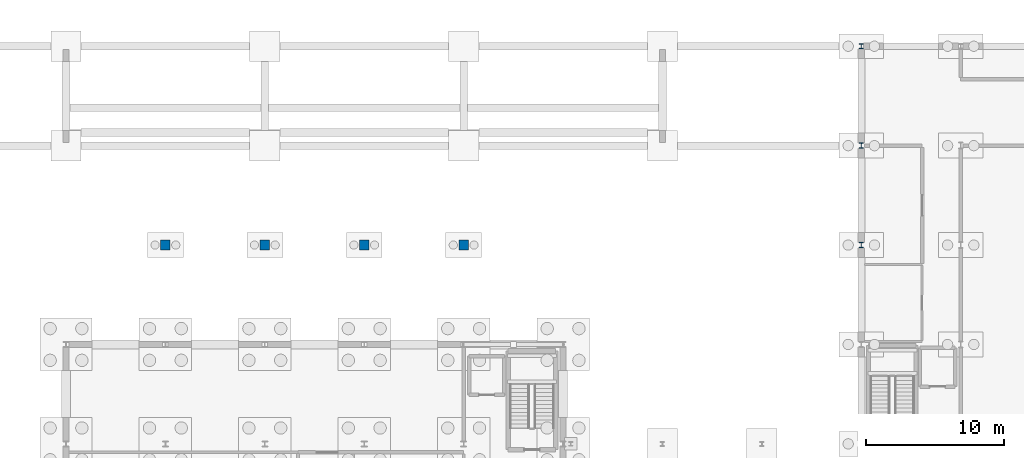
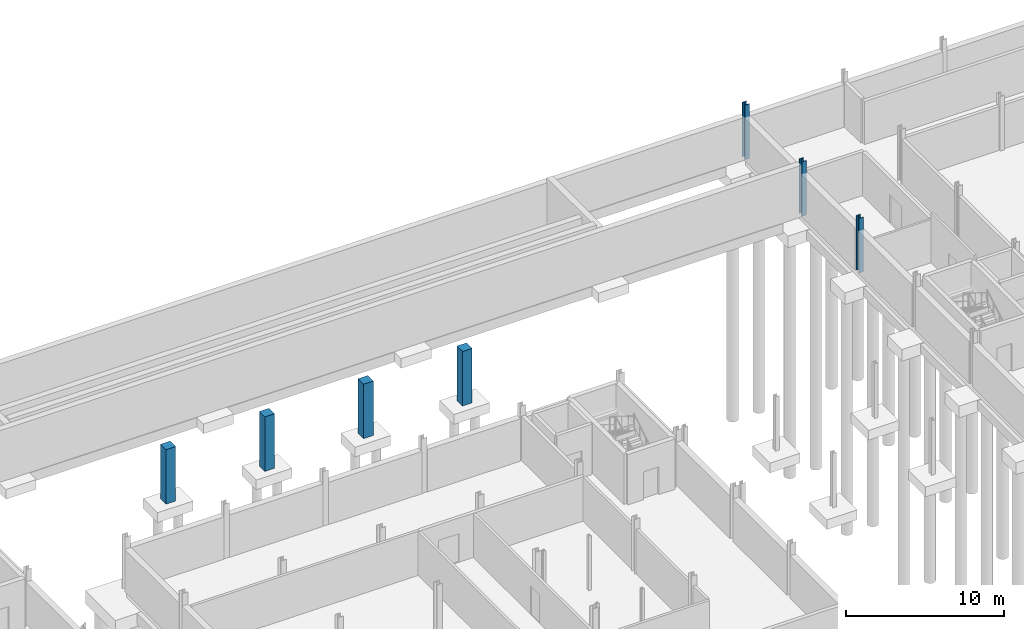
# One storey, part 23 of 50: 7 columns.
"""IFC4 building model written with IfcOpenShell, lengths in metres."""

from ifc_helpers import new_model, si_unit, direction, frame, origin, origin_2d, place, context, subcontext, project, spatial, rectangle, i_section, extrude, material, material_profile, profile_set, type_object, element, save


model = new_model("IFC4")

# Units and contexts
model_context = context("Model", 3, precision=1e-05, world=origin(), true_north=direction((0.0, 1.0)))
body_context = subcontext(model_context, "Body", "Model", "MODEL_VIEW")
ifc_project = project(units=[si_unit("LENGTHUNIT", "METRE"), si_unit("AREAUNIT", "SQUARE_METRE"), si_unit("VOLUMEUNIT", "CUBIC_METRE"), si_unit("PLANEANGLEUNIT", "RADIAN"), si_unit("MASSUNIT", "GRAM", prefix="KILO")], contexts=[model_context])

# Site, building, storey
site_placement = place(None, origin())
site = spatial("IfcSite", under=ifc_project, at=site_placement, CompositionType="ELEMENT")
building_placement = place(site_placement, origin())
building = spatial("IfcBuilding", under=site, at=building_placement, Name="Narikvali Park Central Library", CompositionType="ELEMENT")
storey_placement = place(building_placement, frame((0.0, 0.0, -4.199951171875)))
storey = spatial("IfcBuildingStorey", under=building, at=storey_placement, Name="B1", CompositionType="ELEMENT", Elevation=-4.199951171875)

# Columns
ifc_material_1 = material(Name="Concrete C40/50", Category="concrete")
ifc_material_profile_1 = material_profile(ifc_material_1, rectangle(XDim=0.699951171875, YDim=0.699951171875, at=origin_2d()), Name="RC 700x700")
ifc_profile_set_1 = profile_set([ifc_material_profile_1], Name="Concrete C40/50")
column_type_1 = type_object("IfcColumnType", Name="Concrete Foundation Pier 700x700", PredefinedType="COLUMN", material=ifc_profile_set_1)
for number, where, z_axis, x_axis, name in (
    (1, (72.0, 100.800048828125, 0.0), (0.0, 0.0, 1.0), (1.0, 0.0, 0.0), "Entrance Arch Foundation Pier (72.0)"),
    (2, (79.199951171875, 100.800048828125, 0.0), (0.0, 0.0, 1.0), (1.0, 0.0, 0.0), "Entrance Arch Foundation Pier (79.2)"),
    (3, (86.39990234375, 100.800048828125, 0.0), (0.0, 0.0, 1.0), (1.0, 0.0, 0.0), "Entrance Arch Foundation Pier (86.4)"),
    (4, (93.60009765625, 100.800048828125, 0.0), (0.0, 0.0, 1.0), (1.0, 0.0, 0.0), "Entrance Arch Foundation Pier (93.6)"),
):
    element("IfcColumn", number, at=place(storey_placement, frame(where, z_axis=z_axis, x_axis=x_axis)), inside=storey, type_object=column_type_1, Name=name, PredefinedType="COLUMN", context=body_context, shape_type="SweptSolid", body=[
        extrude(rectangle(XDim=0.699951171875, YDim=0.699951171875, at=origin_2d()), origin(), (0.0, 0.0, 1.0), 4.199951171875),
    ])
ifc_material_2 = material(Name="Steel S355", Category="steel")
ifc_material_profile_2 = material_profile(ifc_material_2, i_section(OverallWidth=0.30810546875, OverallDepth=0.39501953125, WebThickness=0.02099609375, FlangeThickness=0.035888671875, FilletRadius=0.027099609375, at=origin_2d()), Name="HEM 360")
ifc_profile_set_2 = profile_set([ifc_material_profile_2], Name="Steel S355")
column_type_2 = type_object("IfcColumnType", Name="Steel Column HEM360", PredefinedType="COLUMN", material=ifc_profile_set_2)
for number, where, z_axis, x_axis, name in (
    (5, (122.39990234375, 100.800048828125, 0.0), (0.0, 0.0, 1.0), (1.0, 0.0, 0.0), "V3 B1 Column (122.4,100.8)"),
    (6, (122.39990234375, 108.0, 0.0), (0.0, 0.0, 1.0), (1.0, 0.0, 0.0), "V3 B1 Column (122.4,108.0)"),
    (7, (122.39990234375, 115.199951171875, 0.0), (0.0, 0.0, 1.0), (1.0, 0.0, 0.0), "V3 B1 Column (122.4,115.2)"),
):
    element("IfcColumn", number, at=place(storey_placement, frame(where, z_axis=z_axis, x_axis=x_axis)), inside=storey, type_object=column_type_2, Name=name, PredefinedType="COLUMN", context=body_context, shape_type="SweptSolid", body=[
        extrude(i_section(OverallWidth=0.30810546875, OverallDepth=0.39501953125, WebThickness=0.02099609375, FlangeThickness=0.035888671875, FilletRadius=0.027099609375, at=origin_2d()), origin(), (0.0, 0.0, 1.0), 4.199951171875),
    ])

save(model, "model.ifc")
